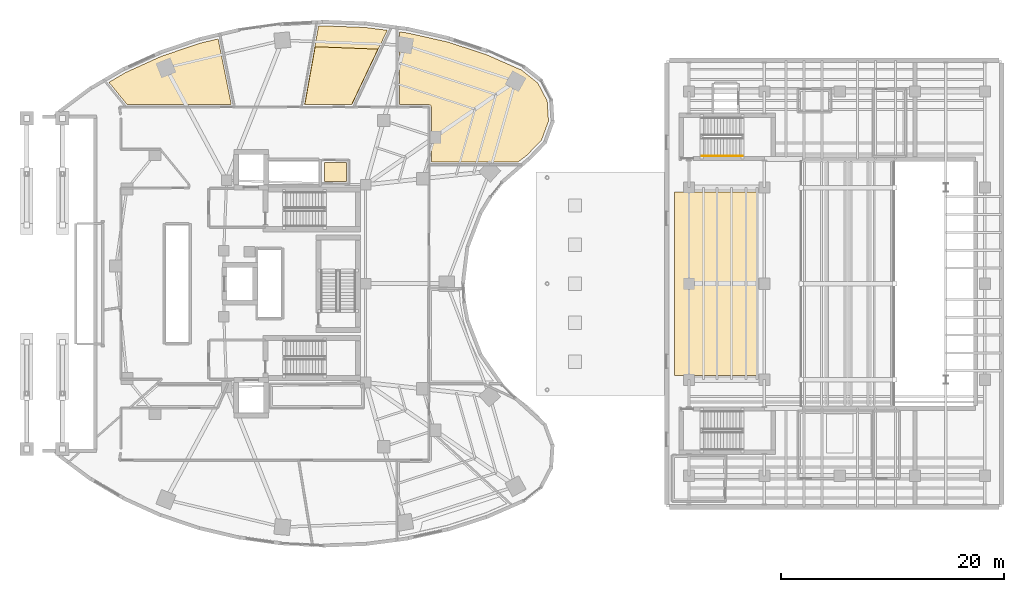
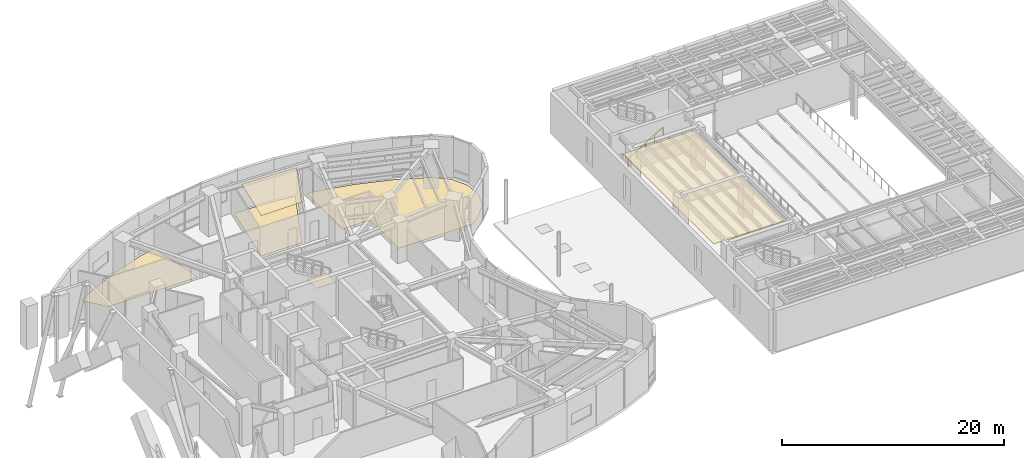
# One storey, part 23 of 24: 6 coverings, 1 railing.
"""IFC4 building model written with IfcOpenShell, lengths in metres."""

from ifc_helpers import new_model, si_unit, direction, frame, origin, origin_2d, place, context, subcontext, project, spatial, polyline, rectangle, outline, extrude, material, layer, layer_set, type_object, element, save


model = new_model("IFC4")

# Units and contexts
model_context = context("Model", 3, precision=1e-05, world=origin(), true_north=direction((0.0, 1.0)))
body_context = subcontext(model_context, "Body", "Model", "MODEL_VIEW")
ifc_project = project(units=[si_unit("LENGTHUNIT", "METRE"), si_unit("AREAUNIT", "SQUARE_METRE"), si_unit("VOLUMEUNIT", "CUBIC_METRE"), si_unit("PLANEANGLEUNIT", "RADIAN"), si_unit("MASSUNIT", "GRAM", prefix="KILO")], contexts=[model_context])

# Site, building, storey
site_placement = place(None, origin())
site = spatial("IfcSite", under=ifc_project, at=site_placement, CompositionType="ELEMENT")
building_placement = place(site_placement, origin())
building = spatial("IfcBuilding", under=site, at=building_placement, Name="Korentha Bioscience Tower", CompositionType="ELEMENT")
storey_placement = place(building_placement, frame((0.0, 0.0, 10.199951171875)))
storey = spatial("IfcBuildingStorey", under=building, at=storey_placement, Name="L02", CompositionType="ELEMENT", Elevation=10.199951171875)

# Covering
ifc_material_1 = material(Name="Vitrified Porcelain Tile", Category="ceramic")
ifc_layer_1 = layer(ifc_material_1, 0.014892578125, Name="Vitrified Porcelain Tile")
ifc_layer_set_1 = layer_set([ifc_layer_1], Name="Vitrified Porcelain Tile (FL-CER)")
covering_type_1 = type_object("IfcCoveringType", Name="Anti-Slip Ceramic Wet-Room Tile Flooring 15", PredefinedType="FLOORING", material=ifc_layer_set_1)
covering_1_placement = place(storey_placement, origin())
element("IfcCovering", 1, at=covering_1_placement, inside=storey, type_object=covering_type_1, Name="L02 Accessible Staff WC Floor Finish", PredefinedType="FLOORING", context=body_context, shape_type="SweptSolid", body=[
    extrude(outline(polyline([(33.8701171875, 36.1298828125), (33.8701171875, 37.8701171875), (35.830078125, 37.8701171875), (35.830078125, 36.1298828125), (33.8701171875, 36.1298828125)])), origin(), (0.0, 0.0, 1.0), 0.01513671875),
])

# Railing
ifc_material_2 = material(Name="Stainless Steel 304", Category="steel")
railing_type = type_object("IfcRailingType", Name="Brushed Stainless Stair Handrail 900", PredefinedType="HANDRAIL", material=ifc_material_2)
railing_placement = place(storey_placement, frame((67.64990234375, 38.449951171875, 0.17138671875)))
element("IfcRailing", 2, at=railing_placement, inside=storey, type_object=railing_type, Name="L02 ST-T2 stair handrail 1", PredefinedType="HANDRAIL", context=body_context, shape_type="SweptSolid", body=[
    extrude(rectangle(XDim=0.048095703125, YDim=0.048095703125, at=origin_2d()), frame((0.0, 0.0, 0.8759765625), z_axis=(0.852840387347, 0.0, 0.522171689878), x_axis=(0.0, 1.0, 0.0)), (0.0, 0.0, 1.0), 4.268310546875),
    extrude(rectangle(XDim=0.0419921875, YDim=0.0419921875, at=origin_2d()), origin(), (0.0, 0.0, 1.0), 0.851806640625),
    extrude(rectangle(XDim=0.0419921875, YDim=0.0419921875, at=origin_2d()), frame((0.91015625, 0.0, 0.55712890625)), (0.0, 0.0, 1.0), 0.851806640625),
    extrude(rectangle(XDim=0.0419921875, YDim=0.0419921875, at=origin_2d()), frame((1.820068359375, 0.0, 1.1142578125)), (0.0, 0.0, 1.0), 0.851806640625),
    extrude(rectangle(XDim=0.0419921875, YDim=0.0419921875, at=origin_2d()), frame((2.72998046875, 0.0, 1.671630859375)), (0.0, 0.0, 1.0), 0.851806640625),
    extrude(rectangle(XDim=0.0419921875, YDim=0.0419921875, at=origin_2d()), frame((3.64013671875, 0.0, 2.228759765625)), (0.0, 0.0, 1.0), 0.851806640625),
])

# Coverings
ifc_material_3 = material(Name="Antimicrobial Mineral Fibre Board", Category="gypsum")
ifc_layer_2 = layer(ifc_material_3, 0.034912109375, Name="Antimicrobial Mineral Fibre Board")
ifc_layer_set_2 = layer_set([ifc_layer_2], Name="Antimicrobial Mineral Fibre Board (CL-MF35)")
covering_type_2 = type_object("IfcCoveringType", Name="Mineral-Fibre Cleanroom Suspended Ceiling 35", PredefinedType="CEILING", material=ifc_layer_set_2)
covering_2_placement = place(storey_placement, frame((0.0, 0.0, 4.4150390625)))
element("IfcCovering", 3, at=covering_2_placement, inside=storey, type_object=covering_type_2, Name="L02 Visiting Scholars' Seminar Suite 12 Acoustic Ceiling", PredefinedType="CEILING", context=body_context, shape_type="SweptSolid", body=[
    extrude(outline(polyline([(32.10693359375, 43.060302734375), (33.031005859375, 48.218994140625), (38.647216796875, 48.000732421875), (36.30615234375, 43.064208984375), (32.10693359375, 43.060302734375)])), origin(), (0.0, 0.0, 1.0), 0.034912109375),
])
ifc_material_4 = material(Name="Perforated Powder-Coated Aluminium", Category="aluminium")
ifc_layer_3 = layer(ifc_material_4, 0.044921875, Name="Perforated Powder-Coated Aluminium")
ifc_layer_set_3 = layer_set([ifc_layer_3], Name="Perforated Powder-Coated Aluminium (CL-M45)")
covering_type_3 = type_object("IfcCoveringType", Name="Perforated Metal Laboratory Acoustic Ceiling 45", PredefinedType="CEILING", material=ifc_layer_set_3)
covering_3_placement = place(storey_placement, frame((0.0, 0.0, 4.405029296875)))
element("IfcCovering", 4, at=covering_3_placement, inside=storey, type_object=covering_type_3, Name="L02 Acoustic Metal Baffle Ceiling", PredefinedType="CEILING", context=body_context, shape_type="SweptSolid", body=[
    extrude(outline(polyline([(65.199951171875, 18.800048828125), (72.60009765625, 18.800048828125), (72.60009765625, 35.199951171875), (65.199951171875, 35.199951171875), (65.199951171875, 18.800048828125)])), origin(), (0.0, 0.0, 1.0), 0.044921875),
])
ifc_material_5 = material(Name="Chemical-Resistant Epoxy Resin", Category="polymer")
ifc_layer_4 = layer(ifc_material_5, 0.011962890625, Name="Chemical-Resistant Epoxy Resin")
ifc_layer_set_4 = layer_set([ifc_layer_4], Name="Chemical-Resistant Epoxy Resin (FL-EPX)")
covering_type_4 = type_object("IfcCoveringType", Name="Seamless Epoxy Laboratory Flooring 12", PredefinedType="FLOORING", material=ifc_layer_set_4)
covering_4_placement = place(storey_placement, origin())
element("IfcCovering", 5, at=covering_4_placement, inside=storey, type_object=covering_type_4, Name="L02 Academic Poster Exhibition Lounge 10 Floor Finish", PredefinedType="FLOORING", context=body_context, shape_type="SweptSolid", body=[
    extrude(outline(polyline([(41.244873046875, 49.461181640625), (44.857177734375, 48.65283203125), (48.31005859375, 47.52978515625), (51.5166015625, 46.125), (52.96630859375, 44.970458984375), (53.805419921875, 43.364501953125), (53.922607421875, 41.556396484375), (53.29736328125, 39.85546875), (51.98876953125, 38.5029296875), (51.17431640625, 37.8779296875), (43.429931640625, 37.8779296875), (43.429931640625, 42.800048828125), (43.3974609375, 42.917724609375), (43.318603515625, 42.9970703125), (43.210693359375, 43.02978515625), (40.572021484375, 43.030029296875), (40.572021484375, 49.548095703125), (41.244873046875, 49.461181640625)])), origin(), (0.0, 0.0, 1.0), 0.011962890625),
])
covering_5_placement = place(storey_placement, origin())
element("IfcCovering", 6, at=covering_5_placement, inside=storey, type_object=covering_type_4, Name="L02 Visiting Scholars' Seminar Suite 12 Floor Finish", PredefinedType="FLOORING", context=body_context, shape_type="SweptSolid", body=[
    extrude(outline(polyline([(39.481201171875, 49.689208984375), (36.324951171875, 43.0341796875), (32.071044921875, 43.0302734375), (33.331787109375, 50.0673828125), (33.756103515625, 50.0888671875), (37.526611328125, 49.942138671875), (39.481201171875, 49.689208984375)])), origin(), (0.0, 0.0, 1.0), 0.011962890625),
])
covering_6_placement = place(storey_placement, origin())
element("IfcCovering", 7, at=covering_6_placement, inside=storey, type_object=covering_type_4, Name="L02 Faculty Dining Restaurant 14 Floor Finish", PredefinedType="FLOORING", context=body_context, shape_type="SweptSolid", body=[
    extrude(outline(polyline([(22.687255859375, 48.525390625), (24.339111328125, 48.915771484375), (25.521240234375, 43.030029296875), (16.199462890625, 43.030029296875), (14.565185546875, 45.035888671875), (16.0458984375, 45.90478515625), (19.258544921875, 47.36279296875), (22.687255859375, 48.525390625)])), origin(), (0.0, 0.0, 1.0), 0.011962890625),
])

save(model, "model.ifc")
